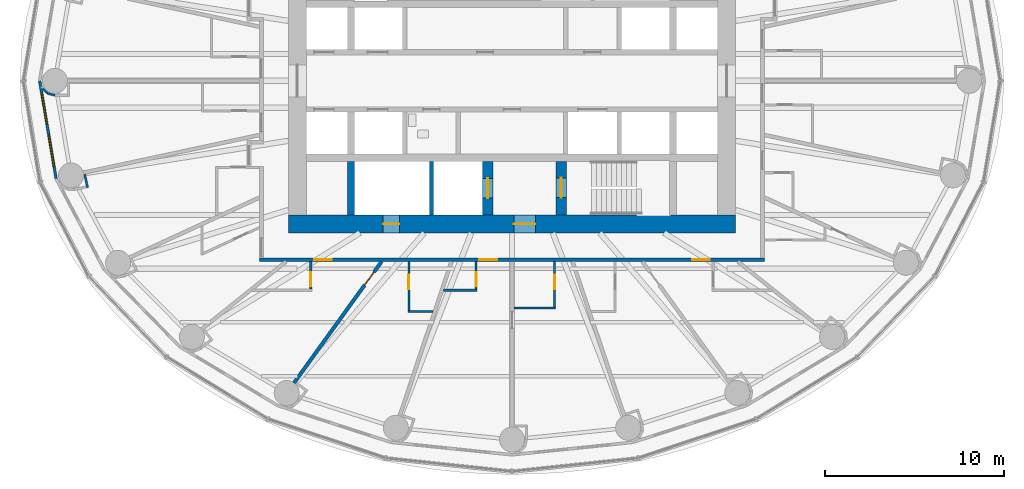
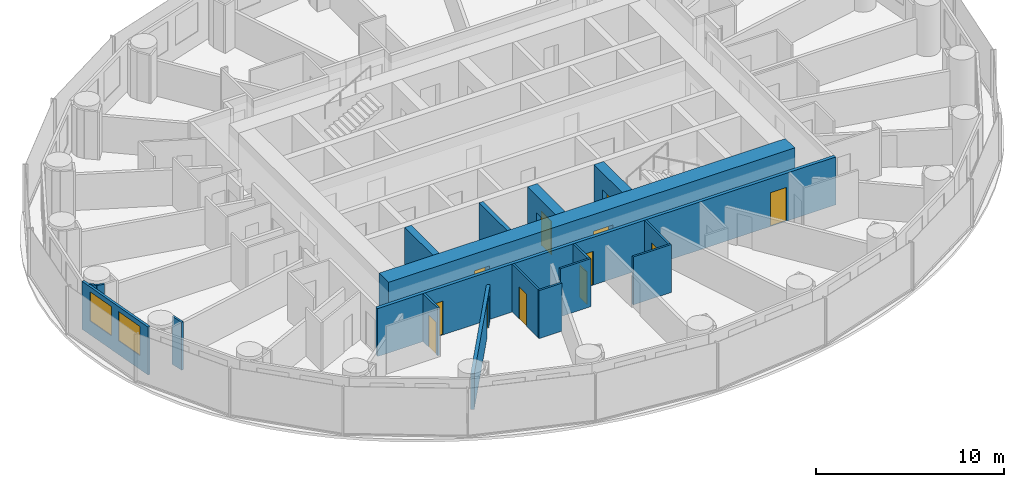
# One storey, part 7 of 16: 18 walls, 12 doors, 2 windows, 14 openings.
"""IFC4 building model written with IfcOpenShell, lengths in metres."""

import ifcopenshell
import ifcopenshell.guid

model = None  # the IFC model being written
_history = None  # IfcOwnerHistory: only IFC2X3 demands one
_inside = {}  # id of a spatial element -> (the spatial element, [elements in it])
_under = {}  # id of a project, library or spatial element -> (it, [spatial elements below it])
_declared = {}  # id of a project -> (the project, [libraries it declares])
_typed = {}  # id of a type object -> (the type object, [elements of that type])
_made_of = {}  # id of a material, layer set ... -> (it, [elements and type objects made of it])


def new_model(schema):
    """Start an empty IFC model of exactly this schema.

    Asked for "IFC4X3", IfcOpenShell would pick the latest addendum, in which some entities
    have other attributes; the version numbers below select the first issue.
    IFC2X3 requires an IfcOwnerHistory on every rooted entity: one is made here for all.
    """
    global model, _history
    if schema == "IFC4X3":
        model = ifcopenshell.file(schema_version=(4, 3, 0, 0))
    else:
        model = ifcopenshell.file(schema=schema)
    _inside.clear()
    _under.clear()
    _declared.clear()
    _typed.clear()
    _made_of.clear()
    _history = None
    if model.schema == "IFC2X3":
        org = make("IfcOrganization", Name="unknown")
        user = make(
            "IfcPersonAndOrganization",
            ThePerson=make("IfcPerson", FamilyName="unknown"),
            TheOrganization=org,
        )
        app = make(
            "IfcApplication",
            ApplicationDeveloper=org,
            Version="unknown",
            ApplicationFullName="unknown",
            ApplicationIdentifier="unknown",
        )
        _history = make(
            "IfcOwnerHistory",
            OwningUser=user,
            OwningApplication=app,
            ChangeAction="ADDED",
            CreationDate=0,
        )
    return model


def make(cls, **values):
    """One entity of the class cls with the attributes given. An attribute that is None is left unset."""
    return model.create_entity(
        cls, **{name: value for name, value in values.items() if value is not None}
    )


def rooted(cls, **values):
    """An entity with a GlobalId (a new one), such as an element, a storey or a relation."""
    return make(cls, GlobalId=ifcopenshell.guid.new(), OwnerHistory=_history, **values)


def si_unit(unit_type, name, prefix=None):
    """IfcSIUnit, for example si_unit("LENGTHUNIT", "METRE", prefix="MILLI")."""
    return make("IfcSIUnit", UnitType=unit_type, Prefix=prefix, Name=name)


def assignment(units):
    """IfcUnitAssignment: the units of a project."""
    return None if units is None else make("IfcUnitAssignment", Units=units)


def point(xyz):
    """IfcCartesianPoint."""
    return None if xyz is None else make("IfcCartesianPoint", Coordinates=xyz)


def direction(xyz):
    """IfcDirection."""
    return None if xyz is None else make("IfcDirection", DirectionRatios=xyz)


def frame(location, z_axis=None, x_axis=None):
    """IfcAxis2Placement3D, a coordinate frame: its origin and axes. An axis left out is left unset."""
    return make(
        "IfcAxis2Placement3D",
        Location=point(location),
        Axis=direction(z_axis),
        RefDirection=direction(x_axis),
    )


def frame_2d(location, x_axis=None):
    """IfcAxis2Placement2D, a coordinate frame in the plane: its origin and x axis."""
    return make(
        "IfcAxis2Placement2D", Location=point(location), RefDirection=direction(x_axis)
    )


def origin():
    """The frame at (0, 0, 0) with its axes left unset."""
    return frame((0.0, 0.0, 0.0))


def place(relative_to, where):
    """IfcLocalPlacement: puts the frame where relative to a parent placement (None: the world)."""
    return make(
        "IfcLocalPlacement", PlacementRelTo=relative_to, RelativePlacement=where
    )


def context(
    kind, dimensions, precision=None, world=None, true_north=None, identifier=None
):
    """IfcGeometricRepresentationContext, for example the 3D "Model" context."""
    return make(
        "IfcGeometricRepresentationContext",
        ContextIdentifier=identifier,
        ContextType=kind,
        CoordinateSpaceDimension=dimensions,
        Precision=precision,
        WorldCoordinateSystem=world,
        TrueNorth=true_north,
    )


def subcontext(parent, identifier, kind, view, scale=None):
    """IfcGeometricRepresentationSubContext, for example "Body" below "Model"."""
    return make(
        "IfcGeometricRepresentationSubContext",
        ContextIdentifier=identifier,
        ContextType=kind,
        ParentContext=parent,
        TargetScale=scale,
        TargetView=view,
    )


def project(units=None, contexts=None):
    """IfcProject with its units and contexts."""
    return rooted(
        "IfcProject",
        Name="project",
        RepresentationContexts=contexts,
        UnitsInContext=assignment(units),
    )


def spatial(cls, under=None, at=None, **own):
    """A site, building, storey or space (cls), placed at a placement, below another one or the project."""
    s = rooted(cls, ObjectPlacement=at, **own)
    if under is not None:
        _under.setdefault(under.id(), (under, []))[1].append(s)
    return s


def profile(cls, at=None, kind="AREA", **sizes):
    """A parametric profile (cls). Its sizes go by their IFC names, for example OverallWidth=200.0."""
    return make(cls, ProfileType=kind, Position=at, **sizes)


def rectangle(**sizes):
    """IfcRectangleProfileDef."""
    return profile("IfcRectangleProfileDef", **sizes)


def extrude(swept, where, along, depth):
    """IfcExtrudedAreaSolid: the profile swept, set in the frame where, extruded along a direction by depth."""
    return make(
        "IfcExtrudedAreaSolid",
        SweptArea=swept,
        Position=where,
        ExtrudedDirection=direction(along),
        Depth=depth,
    )


def shape(context_of_items, identifier, shape_type, items):
    """IfcShapeRepresentation: the items that make up one representation, for example the "Body"."""
    return make(
        "IfcShapeRepresentation",
        ContextOfItems=context_of_items,
        RepresentationIdentifier=identifier,
        RepresentationType=shape_type,
        Items=items,
    )


def material(Name=None, Category=None):
    """IfcMaterial."""
    return make("IfcMaterial", Name=Name, Category=Category)


def layer(
    of_material, thickness, ventilated=None, Name=None, Category=None, Priority=None
):
    """IfcMaterialLayer: one layer of a wall or slab, of a material (None: an air gap)."""
    return make(
        "IfcMaterialLayer",
        Material=of_material,
        LayerThickness=thickness,
        IsVentilated=ventilated,
        Name=Name,
        Category=Category,
        Priority=Priority,
    )


def layer_set(layers, Name=None):
    """IfcMaterialLayerSet."""
    return make("IfcMaterialLayerSet", MaterialLayers=layers, LayerSetName=Name)


def made_of(thing, what):
    """Note that an element or type object is made of a material, layer set ...; save() writes the relation."""
    if what is not None:
        _made_of.setdefault(what.id(), (what, []))[1].append(thing)
    return thing


def type_object(cls, material=None, **own):
    """A type object (cls), such as IfcWallType, which elements share."""
    return made_of(rooted(cls, **own), material)


def element(
    cls,
    number,
    at=None,
    inside=None,
    cuts=None,
    type_object=None,
    material=None,
    context=None,
    identifier="Body",
    shape_type=None,
    held_by="IfcProductDefinitionShape",
    body=None,
    shapes=None,
    **own,
):
    """One element of the class cls, such as IfcWall. Its Tag is "e" and its number.

    at: its placement. inside: the storey or other place that contains it. cuts: it is an
    opening in that element (IfcRelVoidsElement). A single representation is given by context,
    identifier, shape_type and body (its items); several are given by shapes. held_by: the class
    of the entity that holds the representations. save() writes the other relations.
    """
    e = rooted(cls, Tag="e%d" % number, ObjectPlacement=at, **own)
    if body is not None:
        shapes = [shape(context, identifier, shape_type, body)]
    if shapes is not None:
        e.Representation = make(held_by, Representations=shapes)
    if inside is not None:
        _inside.setdefault(inside.id(), (inside, []))[1].append(e)
    if cuts is not None:
        rooted(
            "IfcRelVoidsElement", RelatingBuildingElement=cuts, RelatedOpeningElement=e
        )
    if type_object is not None:
        _typed.setdefault(type_object.id(), (type_object, []))[1].append(e)
    return made_of(e, material)


def fill(opening, filler):
    """IfcRelFillsElement: the door or window that sits in an opening."""
    return rooted(
        "IfcRelFillsElement",
        RelatingOpeningElement=opening,
        RelatedBuildingElement=filler,
    )


def aggregate(whole, parts):
    """IfcRelAggregates: a whole, such as a stair, and the parts it consists of."""
    return rooted("IfcRelAggregates", RelatingObject=whole, RelatedObjects=parts)


def save(model, path):
    """Write the relations noted so far, then the file.

    IfcRelAggregates (storeys below a building ...), IfcRelContainedInSpatialStructure (elements
    in a storey), IfcRelDefinesByType, IfcRelAssociatesMaterial and IfcRelDeclares: one each for
    every whole, place, type object, material and project.
    """
    for whole, parts in _under.values():
        aggregate(whole, parts)
    for where, things in _inside.values():
        rooted(
            "IfcRelContainedInSpatialStructure",
            RelatedElements=things,
            RelatingStructure=where,
        )
    for kind, things in _typed.values():
        rooted("IfcRelDefinesByType", RelatedObjects=things, RelatingType=kind)
    for what, things in _made_of.values():
        rooted("IfcRelAssociatesMaterial", RelatedObjects=things, RelatingMaterial=what)
    for by, libraries in _declared.values():
        rooted("IfcRelDeclares", RelatingContext=by, RelatedDefinitions=libraries)
    model.write(path)


model = new_model("IFC4")

# Units and contexts
model_context = context("Model", 3, precision=1e-05, world=origin(), true_north=direction((0.0, 1.0)))
body_context = subcontext(model_context, "Body", "Model", "MODEL_VIEW")
ifc_project = project(units=[si_unit("LENGTHUNIT", "METRE"), si_unit("AREAUNIT", "SQUARE_METRE"), si_unit("VOLUMEUNIT", "CUBIC_METRE"), si_unit("PLANEANGLEUNIT", "RADIAN"), si_unit("MASSUNIT", "GRAM", prefix="KILO")], contexts=[model_context])

# Site, building, storey
site_placement = place(None, origin())
site = spatial("IfcSite", under=ifc_project, at=site_placement, CompositionType="ELEMENT")
building_placement = place(site_placement, origin())
building = spatial("IfcBuilding", under=site, at=building_placement, Name="Hankou Lantern Tower", CompositionType="ELEMENT")
storey_placement = place(building_placement, frame((0.0, 0.0, 70.5)))
storey = spatial("IfcBuildingStorey", under=building, at=storey_placement, Name="L17", CompositionType="ELEMENT", Elevation=70.5)

# Wall, openings, doors
ifc_material_1 = material(Name="Concrete C60", Category="concrete")
ifc_layer_1 = layer(ifc_material_1, 1.0)
ifc_layer_set_1 = layer_set([ifc_layer_1], Name="Concrete C60")
wall_type_1 = type_object("IfcWallType", Name="CW1 CORE WALL 1000", PredefinedType="SHEAR", material=ifc_layer_set_1)
wall_1_placement = place(storey_placement, frame((12.5, -8.0, 0.0), z_axis=(0.0, 0.0, 1.0), x_axis=(-1.0, 0.0, 0.0)))
wall_1 = element("IfcWall", 1, at=wall_1_placement, inside=storey, type_object=wall_type_1, Name="Core wall south L17", PredefinedType="SHEAR", context=body_context, shape_type="SweptSolid", body=[
    extrude(rectangle(XDim=25.0, YDim=1.0, at=frame_2d((12.5, 0.0))), origin(), (0.0, 0.0, 1.0), 3.300048828125),
])
opening_1_placement = place(wall_1_placement, frame((11.199951171875, 0.0, 0.0)))
opening_1 = element("IfcOpeningElement", 2, at=opening_1_placement, cuts=wall_1, Name="Opening D5", PredefinedType="OPENING", context=body_context, shape_type="SweptSolid", body=[
    extrude(rectangle(XDim=1.199951171875, YDim=2.199951171875, at=frame_2d((0.60009765625, 1.10009765625))), frame((0.0, 0.510009765625, 0.0), z_axis=(0.0, -1.0, 0.0), x_axis=(1.0, 0.0, 0.0)), (0.0, 0.0, 1.0), 1.02001953125),
])
opening_2_placement = place(wall_1_placement, frame((18.800048828125, 0.0, 0.0)))
opening_2 = element("IfcOpeningElement", 3, at=opening_2_placement, cuts=wall_1, Name="Opening D7", PredefinedType="OPENING", context=body_context, shape_type="SweptSolid", body=[
    extrude(rectangle(XDim=0.89990234375, YDim=2.199951171875, at=frame_2d((0.449951171875, 1.10009765625))), frame((0.0, 0.510009765625, 0.0), z_axis=(0.0, -1.0, 0.0), x_axis=(1.0, 0.0, 0.0)), (0.0, 0.0, 1.0), 1.02001953125),
])
ifc_material_2 = material(Name="Steel door leaf", Category="steel")
door_type_1 = type_object("IfcDoorType", Name="D5 STAIR LOBBY DOOR 1200X2200", OperationType="SINGLE_SWING_LEFT", PredefinedType="DOOR", material=ifc_material_2)
door_1_placement = place(opening_1_placement, origin())
door_1 = element("IfcDoor", 4, at=door_1_placement, inside=storey, type_object=door_type_1, Name="Stair B lobby door", OperationType="SINGLE_SWING_LEFT", OverallHeight=2.199951171875, OverallWidth=1.199951171875, PredefinedType="DOOR", context=body_context, shape_type="SweptSolid", body=[
    extrude(rectangle(XDim=1.199951171875, YDim=2.199951171875, at=frame_2d((0.60009765625, 1.10009765625))), frame((0.0, 0.02490234375, 0.0), z_axis=(0.0, -1.0, 0.0), x_axis=(1.0, 0.0, 0.0)), (0.0, 0.0, 1.0), 0.050048828125),
])
fill(opening_1, door_1)
ifc_material_3 = material(Name="Steel door leaf", Category="steel")
door_type_2 = type_object("IfcDoorType", Name="D7 RISER DOOR 900X2200", OperationType="SINGLE_SWING_LEFT", PredefinedType="DOOR", material=ifc_material_3)
door_2_placement = place(opening_2_placement, origin())
door_2 = element("IfcDoor", 5, at=door_2_placement, inside=storey, type_object=door_type_2, Name="Riser S1 door", OperationType="SINGLE_SWING_RIGHT", OverallHeight=2.199951171875, OverallWidth=0.89990234375, PredefinedType="DOOR", context=body_context, shape_type="SweptSolid", body=[
    extrude(rectangle(XDim=0.89990234375, YDim=2.199951171875, at=frame_2d((0.449951171875, 1.10009765625))), frame((0.0, 0.02490234375, 0.0), z_axis=(0.0, -1.0, 0.0), x_axis=(1.0, 0.0, 0.0)), (0.0, 0.0, 1.0), 0.050048828125),
])
fill(opening_2, door_2)

# Wall
ifc_material_4 = material(Name="Concrete C60", Category="concrete")
ifc_layer_2 = layer(ifc_material_4, 0.39990234375)
ifc_layer_set_2 = layer_set([ifc_layer_2], Name="Concrete C60")
wall_type_2 = type_object("IfcWallType", Name="CW4 CORE CROSS WALL 400", PredefinedType="SHEAR", material=ifc_layer_set_2)
wall_2_placement = place(storey_placement, frame((-9.0, -7.5, 0.0), z_axis=(0.0, 0.0, 1.0), x_axis=(0.0, 1.0, 0.0)))
element("IfcWall", 6, at=wall_2_placement, inside=storey, type_object=wall_type_2, Name="Core strip wall L17", PredefinedType="SHEAR", context=body_context, shape_type="SweptSolid", body=[
    extrude(rectangle(XDim=3.0, YDim=0.39990234375, at=frame_2d((1.5, 0.0))), origin(), (0.0, 0.0, 1.0), 3.300048828125),
])

# Wall, opening, door
ifc_material_5 = material(Name="Concrete C60", Category="concrete")
ifc_layer_3 = layer(ifc_material_5, 0.60009765625)
ifc_layer_set_3 = layer_set([ifc_layer_3], Name="Concrete C60")
wall_type_3 = type_object("IfcWallType", Name="CW6 STAIR AND SHAFT WALL 600", PredefinedType="SHEAR", material=ifc_layer_set_3)
wall_3_placement = place(storey_placement, frame((2.75, -7.5, 0.0), z_axis=(0.0, 0.0, 1.0), x_axis=(0.0, 1.0, 0.0)))
wall_3 = element("IfcWall", 7, at=wall_3_placement, inside=storey, type_object=wall_type_3, Name="Stair wall L17", PredefinedType="SHEAR", context=body_context, shape_type="SweptSolid", body=[
    extrude(rectangle(XDim=3.0, YDim=0.60009765625, at=frame_2d((1.5, 0.0))), origin(), (0.0, 0.0, 1.0), 3.300048828125),
])
opening_3_placement = place(wall_3_placement, frame((0.97509765625, 0.0, 0.0)))
opening_3 = element("IfcOpeningElement", 8, at=opening_3_placement, cuts=wall_3, Name="Opening D4", PredefinedType="OPENING", context=body_context, shape_type="SweptSolid", body=[
    extrude(rectangle(XDim=1.10009765625, YDim=2.199951171875, at=frame_2d((0.550048828125, 1.10009765625))), frame((0.0, 0.31005859375, 0.0), z_axis=(0.0, -1.0, 0.0), x_axis=(1.0, 0.0, 0.0)), (0.0, 0.0, 1.0), 0.6201171875),
])
ifc_material_6 = material(Name="Steel door leaf", Category="steel")
door_type_3 = type_object("IfcDoorType", Name="D4 STAIR DOOR 1100X2200", OperationType="SINGLE_SWING_LEFT", PredefinedType="DOOR", material=ifc_material_6)
door_3_placement = place(opening_3_placement, origin())
door_3 = element("IfcDoor", 9, at=door_3_placement, inside=storey, type_object=door_type_3, Name="Stair B door", OperationType="SINGLE_SWING_RIGHT", OverallHeight=2.199951171875, OverallWidth=1.10009765625, PredefinedType="DOOR", context=body_context, shape_type="SweptSolid", body=[
    extrude(rectangle(XDim=1.10009765625, YDim=2.199951171875, at=frame_2d((0.550048828125, 1.10009765625))), frame((0.0, 0.02490234375, 0.0), z_axis=(0.0, -1.0, 0.0), x_axis=(1.0, 0.0, 0.0)), (0.0, 0.0, 1.0), 0.050048828125),
])
fill(opening_3, door_3)

wall_4_placement = place(storey_placement, frame((-1.35009765625, -7.5, 0.0), z_axis=(0.0, 0.0, 1.0), x_axis=(0.0, 1.0, 0.0)))
wall_4 = element("IfcWall", 10, at=wall_4_placement, inside=storey, type_object=wall_type_3, Name="Firefighting lift shaft wall L17", PredefinedType="SHEAR", context=body_context, shape_type="SweptSolid", body=[
    extrude(rectangle(XDim=3.0, YDim=0.60009765625, at=frame_2d((1.5, 0.0))), origin(), (0.0, 0.0, 1.0), 3.300048828125),
])
opening_4_placement = place(wall_4_placement, frame((0.949951171875, 0.0, 0.0)))
opening_4 = element("IfcOpeningElement", 11, at=opening_4_placement, cuts=wall_4, Name="Opening LD2", PredefinedType="OPENING", context=body_context, shape_type="SweptSolid", body=[
    extrude(rectangle(XDim=1.10009765625, YDim=2.199951171875, at=frame_2d((0.550048828125, 1.10009765625))), frame((0.0, 0.31005859375, 0.0), z_axis=(0.0, -1.0, 0.0), x_axis=(1.0, 0.0, 0.0)), (0.0, 0.0, 1.0), 0.6201171875),
])
ifc_material_7 = material(Name="Steel door leaf", Category="steel")
door_type_4 = type_object("IfcDoorType", Name="LD2 FIREFIGHTING LIFT LANDING DOOR 1100X2200", OperationType="DOUBLE_DOOR_SLIDING", PredefinedType="DOOR", material=ifc_material_7)
door_4_placement = place(opening_4_placement, origin())
door_4 = element("IfcDoor", 12, at=door_4_placement, inside=storey, type_object=door_type_4, Name="Firefighting lift FL2 landing door", OperationType="DOUBLE_DOOR_SLIDING", OverallHeight=2.199951171875, OverallWidth=1.10009765625, PredefinedType="DOOR", context=body_context, shape_type="SweptSolid", body=[
    extrude(rectangle(XDim=1.10009765625, YDim=2.199951171875, at=frame_2d((0.550048828125, 1.10009765625))), frame((0.0, 0.02490234375, 0.0), z_axis=(0.0, -1.0, 0.0), x_axis=(1.0, 0.0, 0.0)), (0.0, 0.0, 1.0), 0.050048828125),
])
fill(opening_4, door_4)

# Wall, openings, windows
ifc_material_8 = material(Name="Aluminium spandrel panel on steel studs", Category="steel")
ifc_layer_4 = layer(ifc_material_8, 0.14990234375)
ifc_layer_set_4 = layer_set([ifc_layer_4], Name="Aluminium spandrel panel on steel studs")
wall_type_4 = type_object("IfcWallType", Name="EW1 INNER SKIN WALL 150", PredefinedType="ELEMENTEDWALL", material=ifc_layer_set_4)
wall_5_placement = place(storey_placement, frame((-26.39990234375, 0.0, 0.0), z_axis=(0.0, 0.0, 1.0), x_axis=(0.165642551694, -0.986185857264, 0.0)))
wall_5 = element("IfcWall", 13, at=wall_5_placement, inside=storey, type_object=wall_type_4, Name="Inner skin R13-R14 L17", PredefinedType="ELEMENTEDWALL", context=body_context, shape_type="SweptSolid", body=[
    extrude(rectangle(XDim=5.538818359375, YDim=0.14990234375, at=frame_2d((2.76953125, 0.0))), origin(), (0.0, 0.0, 1.0), 3.1201171875),
])
opening_5_placement = place(wall_5_placement, frame((0.66943359375, 0.0, 0.89990234375)))
opening_5 = element("IfcOpeningElement", 14, at=opening_5_placement, cuts=wall_5, Name="Opening W1", PredefinedType="OPENING", context=body_context, shape_type="SweptSolid", body=[
    extrude(rectangle(XDim=1.800048828125, YDim=1.89990234375, at=frame_2d((0.89990234375, 0.949951171875))), frame((0.0, 0.0849609375, 0.0), z_axis=(0.0, -1.0, 0.0), x_axis=(1.0, 0.0, 0.0)), (0.0, 0.0, 1.0), 0.169921875),
])
opening_6_placement = place(wall_5_placement, frame((3.069580078125, 0.0, 0.89990234375)))
opening_6 = element("IfcOpeningElement", 15, at=opening_6_placement, cuts=wall_5, Name="Opening W1", PredefinedType="OPENING", context=body_context, shape_type="SweptSolid", body=[
    extrude(rectangle(XDim=1.800048828125, YDim=1.89990234375, at=frame_2d((0.89990234375, 0.949951171875))), frame((0.0, 0.0849609375, 0.0), z_axis=(0.0, -1.0, 0.0), x_axis=(1.0, 0.0, 0.0)), (0.0, 0.0, 1.0), 0.169921875),
])
ifc_material_9 = material(Name="Aluminium framed double glazed window", Category="aluminium")
window_type = type_object("IfcWindowType", Name="W1 GUEST ROOM WINDOW 1800X1900", PartitioningType="DOUBLE_PANEL_VERTICAL", PredefinedType="WINDOW", material=ifc_material_9)
window_1_placement = place(opening_5_placement, origin())
window_1 = element("IfcWindow", 16, at=window_1_placement, inside=storey, type_object=window_type, Name="Window R13.1 L17", OverallHeight=1.89990234375, OverallWidth=1.800048828125, PartitioningType="SINGLE_PANEL", PredefinedType="WINDOW", context=body_context, shape_type="SweptSolid", body=[
    extrude(rectangle(XDim=1.800048828125, YDim=1.89990234375, at=frame_2d((0.89990234375, 0.949951171875))), frame((0.0, 0.030029296875, 0.0), z_axis=(0.0, -1.0, 0.0), x_axis=(1.0, 0.0, 0.0)), (0.0, 0.0, 1.0), 0.06005859375),
])
fill(opening_5, window_1)
window_2_placement = place(opening_6_placement, origin())
window_2 = element("IfcWindow", 17, at=window_2_placement, inside=storey, type_object=window_type, Name="Window R13.2 L17", OverallHeight=1.89990234375, OverallWidth=1.800048828125, PartitioningType="SINGLE_PANEL", PredefinedType="WINDOW", context=body_context, shape_type="SweptSolid", body=[
    extrude(rectangle(XDim=1.800048828125, YDim=1.89990234375, at=frame_2d((0.89990234375, 0.949951171875))), frame((0.0, 0.030029296875, 0.0), z_axis=(0.0, -1.0, 0.0), x_axis=(1.0, 0.0, 0.0)), (0.0, 0.0, 1.0), 0.06005859375),
])
fill(opening_6, window_2)

# Wall, openings, doors
ifc_material_10 = material(Name="Masonry lightweight concrete block", Category="masonry")
ifc_layer_5 = layer(ifc_material_10, 0.199951171875)
ifc_layer_set_5 = layer_set([ifc_layer_5], Name="Masonry lightweight concrete block")
wall_type_5 = type_object("IfcWallType", Name="IW2 CORRIDOR WALL 200", PredefinedType="PARTITIONING", material=ifc_layer_set_5)
wall_6_placement = place(storey_placement, frame((14.10009765625, -10.0, 0.0), z_axis=(0.0, 0.0, 1.0), x_axis=(-1.0, 0.0, 0.0)))
wall_6 = element("IfcWall", 18, at=wall_6_placement, inside=storey, type_object=wall_type_5, Name="Corridor wall south", PredefinedType="PARTITIONING", context=body_context, shape_type="SweptSolid", body=[
    extrude(rectangle(XDim=28.2001953125, YDim=0.199951171875, at=frame_2d((14.10009765625, 0.0))), origin(), (0.0, 0.0, 1.0), 3.1201171875),
])
opening_7_placement = place(wall_6_placement, frame((24.1650390625, 0.0, 0.0)))
opening_7 = element("IfcOpeningElement", 19, at=opening_7_placement, cuts=wall_6, Name="Opening D2", PredefinedType="OPENING", context=body_context, shape_type="SweptSolid", body=[
    extrude(rectangle(XDim=1.0, YDim=2.199951171875, at=frame_2d((0.5, 1.10009765625))), frame((0.0, 0.10986328125, 0.0), z_axis=(0.0, -1.0, 0.0), x_axis=(1.0, 0.0, 0.0)), (0.0, 0.0, 1.0), 0.219970703125),
])
opening_8_placement = place(wall_6_placement, frame((14.9228515625, 0.0, 0.0)))
opening_8 = element("IfcOpeningElement", 20, at=opening_8_placement, cuts=wall_6, Name="Opening D2", PredefinedType="OPENING", context=body_context, shape_type="SweptSolid", body=[
    extrude(rectangle(XDim=1.0, YDim=2.199951171875, at=frame_2d((0.5, 1.10009765625))), frame((0.0, 0.10986328125, 0.0), z_axis=(0.0, -1.0, 0.0), x_axis=(1.0, 0.0, 0.0)), (0.0, 0.0, 1.0), 0.219970703125),
])
opening_9_placement = place(wall_6_placement, frame((3.034912109375, 0.0, 0.0)))
opening_9 = element("IfcOpeningElement", 21, at=opening_9_placement, cuts=wall_6, Name="Opening D2", PredefinedType="OPENING", context=body_context, shape_type="SweptSolid", body=[
    extrude(rectangle(XDim=1.0, YDim=2.199951171875, at=frame_2d((0.5, 1.10009765625))), frame((0.0, 0.10986328125, 0.0), z_axis=(0.0, -1.0, 0.0), x_axis=(1.0, 0.0, 0.0)), (0.0, 0.0, 1.0), 0.219970703125),
])
ifc_material_11 = material(Name="Steel door leaf", Category="steel")
door_type_5 = type_object("IfcDoorType", Name="D2 SUITE DOOR 1000X2200", OperationType="SINGLE_SWING_LEFT", PredefinedType="DOOR", material=ifc_material_11)
door_5_placement = place(opening_7_placement, origin())
door_5 = element("IfcDoor", 22, at=door_5_placement, inside=storey, type_object=door_type_5, Name="Suite door 1701C", OperationType="SINGLE_SWING_RIGHT", OverallHeight=2.199951171875, OverallWidth=1.0, PredefinedType="DOOR", context=body_context, shape_type="SweptSolid", body=[
    extrude(rectangle(XDim=1.0, YDim=2.199951171875, at=frame_2d((0.5, 1.10009765625))), frame((0.0, 0.02490234375, 0.0), z_axis=(0.0, -1.0, 0.0), x_axis=(1.0, 0.0, 0.0)), (0.0, 0.0, 1.0), 0.050048828125),
])
fill(opening_7, door_5)
door_6_placement = place(opening_8_placement, origin())
door_6 = element("IfcDoor", 23, at=door_6_placement, inside=storey, type_object=door_type_5, Name="Suite door 1702C", OperationType="SINGLE_SWING_RIGHT", OverallHeight=2.199951171875, OverallWidth=1.0, PredefinedType="DOOR", context=body_context, shape_type="SweptSolid", body=[
    extrude(rectangle(XDim=1.0, YDim=2.199951171875, at=frame_2d((0.5, 1.10009765625))), frame((0.0, 0.02490234375, 0.0), z_axis=(0.0, -1.0, 0.0), x_axis=(1.0, 0.0, 0.0)), (0.0, 0.0, 1.0), 0.050048828125),
])
fill(opening_8, door_6)
door_7_placement = place(opening_9_placement, origin())
door_7 = element("IfcDoor", 24, at=door_7_placement, inside=storey, type_object=door_type_5, Name="Suite door 1703C", OperationType="SINGLE_SWING_LEFT", OverallHeight=2.199951171875, OverallWidth=1.0, PredefinedType="DOOR", context=body_context, shape_type="SweptSolid", body=[
    extrude(rectangle(XDim=1.0, YDim=2.199951171875, at=frame_2d((0.5, 1.10009765625))), frame((0.0, 0.02490234375, 0.0), z_axis=(0.0, -1.0, 0.0), x_axis=(1.0, 0.0, 0.0)), (0.0, 0.0, 1.0), 0.050048828125),
])
fill(opening_9, door_7)

# Wall, opening, door
ifc_material_12 = material(Name="Masonry lightweight concrete block", Category="masonry")
ifc_layer_6 = layer(ifc_material_12, 0.1201171875)
ifc_layer_set_6 = layer_set([ifc_layer_6], Name="Masonry lightweight concrete block")
wall_type_6 = type_object("IfcWallType", Name="IW3 BATHROOM WALL 120", PredefinedType="PARTITIONING", material=ifc_layer_set_6)
wall_7_placement = place(storey_placement, frame((-11.2451171875, -10.10009765625, 0.0), z_axis=(0.0, 0.0, 1.0), x_axis=(0.0, -1.0, 0.0)))
wall_7 = element("IfcWall", 25, at=wall_7_placement, inside=storey, type_object=wall_type_6, Name="Box wall 1701C 1", PredefinedType="PARTITIONING", context=body_context, shape_type="SweptSolid", body=[
    extrude(rectangle(XDim=1.539794921875, YDim=0.1201171875, at=frame_2d((0.77001953125, 0.0))), origin(), (0.0, 0.0, 1.0), 3.1201171875),
])
opening_10_placement = place(wall_7_placement, frame((0.590087890625, 0.0, 0.0)))
opening_10 = element("IfcOpeningElement", 26, at=opening_10_placement, cuts=wall_7, Name="Opening D3", PredefinedType="OPENING", context=body_context, shape_type="SweptSolid", body=[
    extrude(rectangle(XDim=0.800048828125, YDim=2.10009765625, at=frame_2d((0.39990234375, 1.050048828125))), frame((0.0, 0.070068359375, 0.0), z_axis=(0.0, -1.0, 0.0), x_axis=(1.0, 0.0, 0.0)), (0.0, 0.0, 1.0), 0.14013671875),
])
ifc_material_13 = material(Name="Timber door leaf", Category="wood")
door_type_6 = type_object("IfcDoorType", Name="D3 BATHROOM DOOR 800X2100", OperationType="SINGLE_SWING_LEFT", PredefinedType="DOOR", material=ifc_material_13)
door_8_placement = place(opening_10_placement, origin())
door_8 = element("IfcDoor", 27, at=door_8_placement, inside=storey, type_object=door_type_6, Name="Suite 1701 guest WC door", OperationType="SINGLE_SWING_LEFT", OverallHeight=2.10009765625, OverallWidth=0.800048828125, PredefinedType="DOOR", context=body_context, shape_type="SweptSolid", body=[
    extrude(rectangle(XDim=0.800048828125, YDim=2.10009765625, at=frame_2d((0.39990234375, 1.050048828125))), frame((0.0, 0.02490234375, 0.0), z_axis=(0.0, -1.0, 0.0), x_axis=(1.0, 0.0, 0.0)), (0.0, 0.0, 1.0), 0.050048828125),
])
fill(opening_10, door_8)

# Wall
wall_8_placement = place(storey_placement, frame((-4.420654296875, -12.89990234375, 0.0), z_axis=(0.0, 0.0, 1.0), x_axis=(-1.0, 0.0, 0.0)))
element("IfcWall", 28, at=wall_8_placement, inside=storey, type_object=wall_type_6, Name="Box wall 1701A 1", PredefinedType="PARTITIONING", context=body_context, shape_type="SweptSolid", body=[
    extrude(rectangle(XDim=1.402099609375, YDim=0.1201171875, at=frame_2d((0.701171875, 0.0))), origin(), (0.0, 0.0, 1.0), 3.1201171875),
])

# Wall, opening, door
wall_9_placement = place(storey_placement, frame((-5.762939453125, -10.10009765625, 0.0), z_axis=(0.0, 0.0, 1.0), x_axis=(0.0, -1.0, 0.0)))
wall_9 = element("IfcWall", 29, at=wall_9_placement, inside=storey, type_object=wall_type_6, Name="Box wall 1701A 1", PredefinedType="PARTITIONING", context=body_context, shape_type="SweptSolid", body=[
    extrude(rectangle(XDim=2.739990234375, YDim=0.1201171875, at=frame_2d((1.3701171875, 0.0))), origin(), (0.0, 0.0, 1.0), 3.1201171875),
])
opening_11_placement = place(wall_9_placement, frame((0.75, 0.0, 0.0)))
opening_11 = element("IfcOpeningElement", 30, at=opening_11_placement, cuts=wall_9, Name="Opening D3", PredefinedType="OPENING", context=body_context, shape_type="SweptSolid", body=[
    extrude(rectangle(XDim=0.800048828125, YDim=2.10009765625, at=frame_2d((0.39990234375, 1.050048828125))), frame((0.0, 0.070068359375, 0.0), z_axis=(0.0, -1.0, 0.0), x_axis=(1.0, 0.0, 0.0)), (0.0, 0.0, 1.0), 0.14013671875),
])
door_9_placement = place(opening_11_placement, origin())
door_9 = element("IfcDoor", 31, at=door_9_placement, inside=storey, type_object=door_type_6, Name="Suite 1701 bathroom door", OperationType="SINGLE_SWING_LEFT", OverallHeight=2.10009765625, OverallWidth=0.800048828125, PredefinedType="DOOR", context=body_context, shape_type="SweptSolid", body=[
    extrude(rectangle(XDim=0.800048828125, YDim=2.10009765625, at=frame_2d((0.39990234375, 1.050048828125))), frame((0.0, 0.02490234375, 0.0), z_axis=(0.0, -1.0, 0.0), x_axis=(1.0, 0.0, 0.0)), (0.0, 0.0, 1.0), 0.050048828125),
])
fill(opening_11, door_9)

# Wall
wall_10_placement = place(storey_placement, frame((-3.81884765625, -11.699951171875, 0.0), z_axis=(0.0, 0.0, 1.0), x_axis=(1.0, 0.0, 0.0)))
element("IfcWall", 32, at=wall_10_placement, inside=storey, type_object=wall_type_6, Name="Box wall 1702C 1", PredefinedType="PARTITIONING", context=body_context, shape_type="SweptSolid", body=[
    extrude(rectangle(XDim=1.8759765625, YDim=0.1201171875, at=frame_2d((0.93798828125, 0.0))), origin(), (0.0, 0.0, 1.0), 3.1201171875),
])

# Wall, opening, door
wall_11_placement = place(storey_placement, frame((-2.0029296875, -10.10009765625, 0.0), z_axis=(0.0, 0.0, 1.0), x_axis=(0.0, -1.0, 0.0)))
wall_11 = element("IfcWall", 33, at=wall_11_placement, inside=storey, type_object=wall_type_6, Name="Box wall 1702C 1", PredefinedType="PARTITIONING", context=body_context, shape_type="SweptSolid", body=[
    extrude(rectangle(XDim=1.539794921875, YDim=0.1201171875, at=frame_2d((0.77001953125, 0.0))), origin(), (0.0, 0.0, 1.0), 3.1201171875),
])
opening_12_placement = place(wall_11_placement, frame((0.590087890625, 0.0, 0.0)))
opening_12 = element("IfcOpeningElement", 34, at=opening_12_placement, cuts=wall_11, Name="Opening D3", PredefinedType="OPENING", context=body_context, shape_type="SweptSolid", body=[
    extrude(rectangle(XDim=0.800048828125, YDim=2.10009765625, at=frame_2d((0.39990234375, 1.050048828125))), frame((0.0, 0.070068359375, 0.0), z_axis=(0.0, -1.0, 0.0), x_axis=(1.0, 0.0, 0.0)), (0.0, 0.0, 1.0), 0.14013671875),
])
door_10_placement = place(opening_12_placement, origin())
door_10 = element("IfcDoor", 35, at=door_10_placement, inside=storey, type_object=door_type_6, Name="Suite 1702 guest WC door", OperationType="SINGLE_SWING_LEFT", OverallHeight=2.10009765625, OverallWidth=0.800048828125, PredefinedType="DOOR", context=body_context, shape_type="SweptSolid", body=[
    extrude(rectangle(XDim=0.800048828125, YDim=2.10009765625, at=frame_2d((0.39990234375, 1.050048828125))), frame((0.0, 0.02490234375, 0.0), z_axis=(0.0, -1.0, 0.0), x_axis=(1.0, 0.0, 0.0)), (0.0, 0.0, 1.0), 0.050048828125),
])
fill(opening_12, door_10)

# Wall
wall_12_placement = place(storey_placement, frame((0.10009765625, -12.699951171875, 0.0), z_axis=(0.0, 0.0, 1.0), x_axis=(1.0, 0.0, 0.0)))
element("IfcWall", 36, at=wall_12_placement, inside=storey, type_object=wall_type_6, Name="Box wall 1702A 1", PredefinedType="PARTITIONING", context=body_context, shape_type="SweptSolid", body=[
    extrude(rectangle(XDim=2.33984375, YDim=0.1201171875, at=frame_2d((1.169921875, 0.0))), origin(), (0.0, 0.0, 1.0), 3.1201171875),
])

# Wall, opening, door
wall_13_placement = place(storey_placement, frame((2.3798828125, -10.10009765625, 0.0), z_axis=(0.0, 0.0, 1.0), x_axis=(0.0, -1.0, 0.0)))
wall_13 = element("IfcWall", 37, at=wall_13_placement, inside=storey, type_object=wall_type_6, Name="Box wall 1702A 1", PredefinedType="PARTITIONING", context=body_context, shape_type="SweptSolid", body=[
    extrude(rectangle(XDim=2.539794921875, YDim=0.1201171875, at=frame_2d((1.27001953125, 0.0))), origin(), (0.0, 0.0, 1.0), 3.1201171875),
])
opening_13_placement = place(wall_13_placement, frame((0.75, 0.0, 0.0)))
opening_13 = element("IfcOpeningElement", 38, at=opening_13_placement, cuts=wall_13, Name="Opening D3", PredefinedType="OPENING", context=body_context, shape_type="SweptSolid", body=[
    extrude(rectangle(XDim=0.800048828125, YDim=2.10009765625, at=frame_2d((0.39990234375, 1.050048828125))), frame((0.0, 0.070068359375, 0.0), z_axis=(0.0, -1.0, 0.0), x_axis=(1.0, 0.0, 0.0)), (0.0, 0.0, 1.0), 0.14013671875),
])
door_11_placement = place(opening_13_placement, origin())
door_11 = element("IfcDoor", 39, at=door_11_placement, inside=storey, type_object=door_type_6, Name="Suite 1702 bathroom door", OperationType="SINGLE_SWING_LEFT", OverallHeight=2.10009765625, OverallWidth=0.800048828125, PredefinedType="DOOR", context=body_context, shape_type="SweptSolid", body=[
    extrude(rectangle(XDim=0.800048828125, YDim=2.10009765625, at=frame_2d((0.39990234375, 1.050048828125))), frame((0.0, 0.02490234375, 0.0), z_axis=(0.0, -1.0, 0.0), x_axis=(1.0, 0.0, 0.0)), (0.0, 0.0, 1.0), 0.050048828125),
])
fill(opening_13, door_11)

# Walls
ifc_material_14 = material(Name="Masonry lightweight concrete block", Category="masonry")
ifc_layer_7 = layer(ifc_material_14, 0.1201171875)
ifc_layer_set_7 = layer_set([ifc_layer_7], Name="Masonry lightweight concrete block")
wall_type_7 = type_object("IfcWallType", Name="IW4 PARTITION 120", PredefinedType="PARTITIONING", material=ifc_layer_set_7)
wall_14_placement = place(storey_placement, frame((-25.550048828125, -0.8076171875, 0.0), z_axis=(0.0, 0.0, 1.0), x_axis=(-0.965807183573, 0.2592614205, 0.0)))
element("IfcWall", 40, at=wall_14_placement, inside=storey, type_object=wall_type_7, Name="Column casing R13", PredefinedType="PARTITIONING", context=body_context, shape_type="SweptSolid", body=[
    extrude(rectangle(XDim=0.418212890625, YDim=0.1201171875, at=frame_2d((0.208984375, 0.0))), origin(), (0.0, 0.0, 1.0), 3.1201171875),
])
wall_15_placement = place(storey_placement, frame((-25.953857421875, -0.69921875, 0.0), z_axis=(0.0, 0.0, 1.0), x_axis=(-0.707106781187, 0.707106781187, 0.0)))
element("IfcWall", 41, at=wall_15_placement, inside=storey, type_object=wall_type_7, Name="Column casing R13", PredefinedType="PARTITIONING", context=body_context, shape_type="SweptSolid", body=[
    extrude(rectangle(XDim=0.417724609375, YDim=0.1201171875, at=frame_2d((0.208984375, 0.0))), origin(), (0.0, 0.0, 1.0), 3.1201171875),
])
wall_16_placement = place(storey_placement, frame((-23.8828125, -5.2216796875, 0.0), z_axis=(0.0, 0.0, 1.0), x_axis=(0.209311842415, -0.977848941619, 0.0)))
element("IfcWall", 42, at=wall_16_placement, inside=storey, type_object=wall_type_7, Name="Column casing R14 return", PredefinedType="PARTITIONING", context=body_context, shape_type="SweptSolid", body=[
    extrude(rectangle(XDim=0.767578125, YDim=0.1201171875, at=frame_2d((0.3837890625, 0.0))), origin(), (0.0, 0.0, 1.0), 3.1201171875),
])

# Wall, opening, door
ifc_material_15 = material(Name="Masonry lightweight concrete block", Category="masonry")
ifc_layer_8 = layer(ifc_material_15, 0.199951171875)
ifc_layer_set_8 = layer_set([ifc_layer_8], Name="Masonry lightweight concrete block")
wall_type_8 = type_object("IfcWallType", Name="IW6 SUITE PARTITION 200", PredefinedType="PARTITIONING", material=ifc_layer_set_8)
wall_17_placement = place(storey_placement, frame((-7.2890625, -10.10009765625, 0.0), z_axis=(0.0, 0.0, 1.0), x_axis=(-0.585198353053, -0.810890182197, 0.0)))
wall_17 = element("IfcWall", 43, at=wall_17_placement, inside=storey, type_object=wall_type_8, Name="Suite partition R17", PredefinedType="PARTITIONING", context=body_context, shape_type="SweptSolid", body=[
    extrude(rectangle(XDim=8.359619140625, YDim=0.199951171875, at=frame_2d((4.1796875, 0.0))), origin(), (0.0, 0.0, 1.0), 2.320068359375),
])
opening_14_placement = place(wall_17_placement, frame((0.719970703125, 0.0, 0.0)))
opening_14 = element("IfcOpeningElement", 44, at=opening_14_placement, cuts=wall_17, Name="Opening D27", PredefinedType="OPENING", context=body_context, shape_type="SweptSolid", body=[
    extrude(rectangle(XDim=0.89990234375, YDim=2.10009765625, at=frame_2d((0.449951171875, 1.050048828125))), frame((0.0, 0.10986328125, 0.0), z_axis=(0.0, -1.0, 0.0), x_axis=(1.0, 0.0, 0.0)), (0.0, 0.0, 1.0), 0.219970703125),
])
ifc_material_16 = material(Name="Timber door leaf", Category="wood")
door_type_7 = type_object("IfcDoorType", Name="D27 INTERNAL DOOR 900X2100", OperationType="SINGLE_SWING_LEFT", PredefinedType="DOOR", material=ifc_material_16)
door_12_placement = place(opening_14_placement, origin())
door_12 = element("IfcDoor", 45, at=door_12_placement, inside=storey, type_object=door_type_7, Name="Suite 1701 bedroom door", OperationType="SINGLE_SWING_LEFT", OverallHeight=2.10009765625, OverallWidth=0.89990234375, PredefinedType="DOOR", context=body_context, shape_type="SweptSolid", body=[
    extrude(rectangle(XDim=0.89990234375, YDim=2.10009765625, at=frame_2d((0.449951171875, 1.050048828125))), frame((0.0, 0.02490234375, 0.0), z_axis=(0.0, -1.0, 0.0), x_axis=(1.0, 0.0, 0.0)), (0.0, 0.0, 1.0), 0.050048828125),
])
fill(opening_14, door_12)

# Wall
ifc_material_17 = material(Name="Masonry autoclaved aerated concrete block", Category="masonry")
ifc_layer_9 = layer(ifc_material_17, 0.25)
ifc_layer_set_9 = layer_set([ifc_layer_9], Name="Masonry autoclaved aerated concrete block")
wall_type_9 = type_object("IfcWallType", Name="SW1 SHAFT BLOCK WALL 250", PredefinedType="PARTITIONING", material=ifc_layer_set_9)
wall_18_placement = place(storey_placement, frame((-4.5, -7.5, 0.0), z_axis=(0.0, 0.0, 1.0), x_axis=(0.0, 1.0, 0.0)))
element("IfcWall", 46, at=wall_18_placement, inside=storey, type_object=wall_type_9, Name="Riser wall L17", PredefinedType="PARTITIONING", context=body_context, shape_type="SweptSolid", body=[
    extrude(rectangle(XDim=3.0, YDim=0.25, at=frame_2d((1.5, 0.0))), origin(), (0.0, 0.0, 1.0), 3.300048828125),
])

save(model, "model.ifc")
